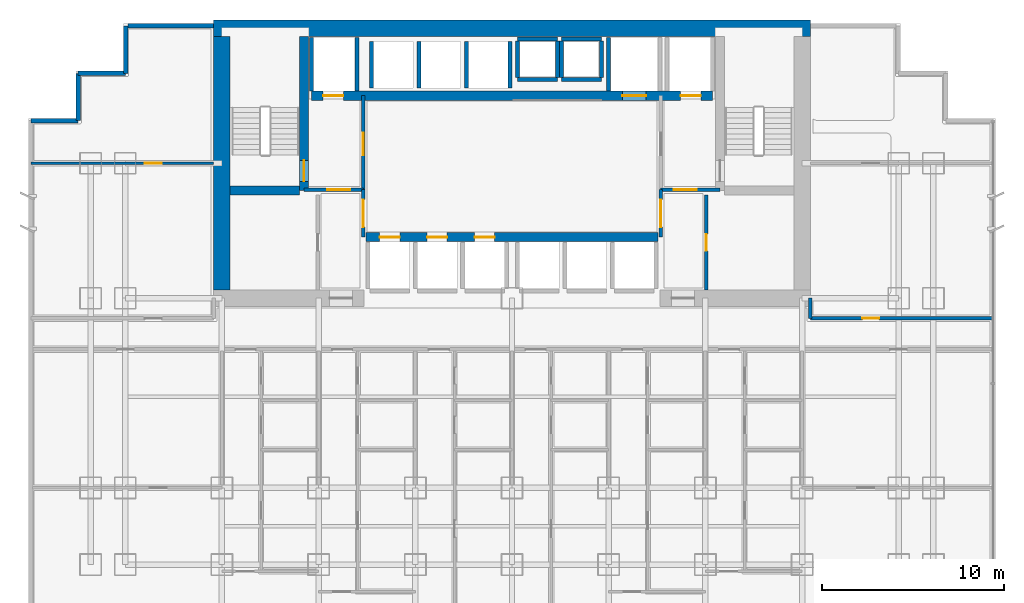
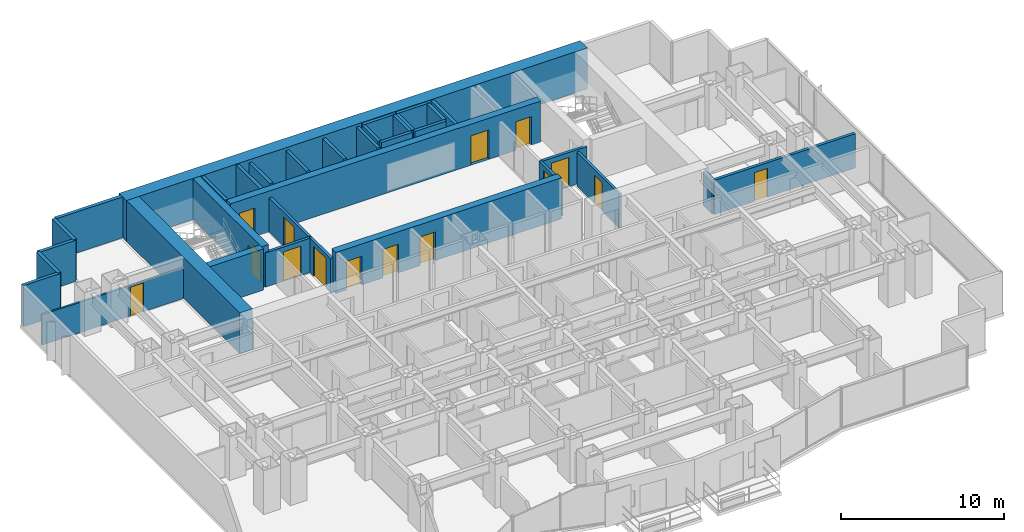
# One storey, part 9 of 12: 35 walls, 15 doors, 15 openings.
"""IFC4 building model written with IfcOpenShell, lengths in metres."""

from ifc_helpers import new_model, si_unit, direction, frame, frame_2d, origin, place, context, subcontext, project, spatial, rectangle, extrude, material, layer, layer_set, type_object, element, fill, save


model = new_model("IFC4")

# Units and contexts
model_context = context("Model", 3, precision=1e-05, world=origin(), true_north=direction((0.0, 1.0)))
body_context = subcontext(model_context, "Body", "Model", "MODEL_VIEW")
ifc_project = project(units=[si_unit("LENGTHUNIT", "METRE"), si_unit("AREAUNIT", "SQUARE_METRE"), si_unit("VOLUMEUNIT", "CUBIC_METRE"), si_unit("PLANEANGLEUNIT", "RADIAN"), si_unit("MASSUNIT", "GRAM", prefix="KILO")], contexts=[model_context])

# Site, building, storey
site_placement = place(None, origin())
site = spatial("IfcSite", under=ifc_project, at=site_placement, CompositionType="ELEMENT")
building_placement = place(site_placement, origin())
building = spatial("IfcBuilding", under=site, at=building_placement, Name="Qianlan Lanfeng Residences", CompositionType="ELEMENT")
storey_placement = place(building_placement, frame((0.0, 0.0, 27.5)))
storey = spatial("IfcBuildingStorey", under=building, at=storey_placement, Name="L06", CompositionType="ELEMENT", Elevation=27.5)

# Wall, opening, door
ifc_material_1 = material(Name="Concrete C70", Category="concrete")
ifc_layer_1 = layer(ifc_material_1, 0.5)
ifc_layer_set_1 = layer_set([ifc_layer_1], Name="Concrete C70")
wall_type_1 = type_object("IfcWallType", Name="CW-RC-500", PredefinedType="SHEAR", material=ifc_layer_set_1)
wall_1_placement = place(storey_placement, frame((15.10009765625, 31.10009765625, 0.0), z_axis=(0.0, 0.0, 1.0), x_axis=(0.0, 1.0, 0.0)))
wall_1 = element("IfcWall", 1, at=wall_1_placement, inside=storey, type_object=wall_type_1, Name="L06 Core Shear Wall ST1E", PredefinedType="SHEAR", context=body_context, shape_type="SweptSolid", body=[
    extrude(rectangle(XDim=8.449951171875, YDim=0.5, at=frame_2d((4.22509765625, 0.0))), origin(), (0.0, 0.0, 1.0), 3.080078125),
])
opening_1_placement = place(wall_1_placement, frame((0.510009765625, 0.0, 0.0)))
opening_1 = element("IfcOpeningElement", 2, at=opening_1_placement, cuts=wall_1, Name="Opening L06-D07", PredefinedType="OPENING", context=body_context, shape_type="SweptSolid", body=[
    extrude(rectangle(XDim=1.14990234375, YDim=2.199951171875, at=frame_2d((0.574951171875, 1.10009765625))), frame((0.0, 0.260009765625, 0.0), z_axis=(0.0, -1.0, 0.0), x_axis=(1.0, 0.0, 0.0)), (0.0, 0.0, 1.0), 0.52001953125),
])
ifc_material_2 = material(Name="Painted Galvanised Steel Fire Door", Category="steel")
door_type_1 = type_object("IfcDoorType", Name="DT-ST1", OperationType="NOTDEFINED", PredefinedType="DOOR", material=ifc_material_2)
door_1_placement = place(opening_1_placement, frame((1.14990234375, 0.0, 0.0), z_axis=(0.0, 0.0, 1.0), x_axis=(-1.0, 0.0, 0.0)))
door_1 = element("IfcDoor", 3, at=door_1_placement, inside=storey, type_object=door_type_1, Name="L06 Exit Stair ST-1 Door L06-D07 (DT-ST1)", OperationType="SINGLE_SWING_RIGHT", OverallHeight=2.199951171875, OverallWidth=1.14990234375, PredefinedType="DOOR", context=body_context, shape_type="SweptSolid", body=[
    extrude(rectangle(XDim=1.14990234375, YDim=2.199951171875, at=frame_2d((0.574951171875, 1.10009765625))), frame((0.0, 0.02490234375, 0.0), z_axis=(0.0, -1.0, 0.0), x_axis=(1.0, 0.0, 0.0)), (0.0, 0.0, 1.0), 0.050048828125),
])
fill(opening_1, door_1)

# Wall
wall_2_placement = place(storey_placement, frame((11.050048828125, 31.10009765625, 0.0), z_axis=(0.0, 0.0, 1.0), x_axis=(1.0, 0.0, 0.0)))
element("IfcWall", 4, at=wall_2_placement, inside=storey, type_object=wall_type_1, Name="L06 Core Shear Wall ST1S", PredefinedType="SHEAR", context=body_context, shape_type="SweptSolid", body=[
    extrude(rectangle(XDim=3.800048828125, YDim=0.5, at=frame_2d((1.89990234375, 0.0))), origin(), (0.0, 0.0, 1.0), 3.080078125),
])

# Wall, openings, doors
wall_3_placement = place(storey_placement, frame((15.5, 36.300048828125, 0.0), z_axis=(0.0, 0.0, 1.0), x_axis=(1.0, 0.0, 0.0)))
wall_3 = element("IfcWall", 5, at=wall_3_placement, inside=storey, type_object=wall_type_1, Name="L06 Core Shear Wall LBN", PredefinedType="SHEAR", context=body_context, shape_type="SweptSolid", body=[
    extrude(rectangle(XDim=22.0, YDim=0.5, at=frame_2d((11.0, 0.0))), origin(), (0.0, 0.0, 1.0), 3.080078125),
])
opening_2_placement = place(wall_3_placement, frame((0.64990234375, 0.0, 0.0)))
opening_2 = element("IfcOpeningElement", 6, at=opening_2_placement, cuts=wall_3, Name="Opening L06-LD-FFL-1", PredefinedType="OPENING", context=body_context, shape_type="SweptSolid", body=[
    extrude(rectangle(XDim=1.10009765625, YDim=2.14990234375, at=frame_2d((0.550048828125, 1.074951171875))), frame((0.0, 0.260009765625, 0.0), z_axis=(0.0, -1.0, 0.0), x_axis=(1.0, 0.0, 0.0)), (0.0, 0.0, 1.0), 0.52001953125),
])
opening_3_placement = place(wall_3_placement, frame((20.25, 0.0, 0.0)))
opening_3 = element("IfcOpeningElement", 7, at=opening_3_placement, cuts=wall_3, Name="Opening L06-LD-FFL-2", PredefinedType="OPENING", context=body_context, shape_type="SweptSolid", body=[
    extrude(rectangle(XDim=1.10009765625, YDim=2.14990234375, at=frame_2d((0.550048828125, 1.074951171875))), frame((0.0, 0.260009765625, 0.0), z_axis=(0.0, -1.0, 0.0), x_axis=(1.0, 0.0, 0.0)), (0.0, 0.0, 1.0), 0.52001953125),
])
opening_4_placement = place(wall_3_placement, frame((17.050048828125, 0.0, 0.0)))
opening_4 = element("IfcOpeningElement", 8, at=opening_4_placement, cuts=wall_3, Name="Opening L06-LD-SVL-1", PredefinedType="OPENING", context=body_context, shape_type="SweptSolid", body=[
    extrude(rectangle(XDim=1.300048828125, YDim=2.199951171875, at=frame_2d((0.64990234375, 1.10009765625))), frame((0.0, 0.260009765625, 0.0), z_axis=(0.0, -1.0, 0.0), x_axis=(1.0, 0.0, 0.0)), (0.0, 0.0, 1.0), 0.52001953125),
])
ifc_material_3 = material(Name="Brushed Stainless Steel Sliding Lift Door", Category="steel")
door_type_2 = type_object("IfcDoorType", Name="LD-01", OperationType="NOTDEFINED", PredefinedType="DOOR", material=ifc_material_3)
door_2_placement = place(opening_2_placement, frame((1.10009765625, 0.0, 0.0), z_axis=(0.0, 0.0, 1.0), x_axis=(-1.0, 0.0, 0.0)))
door_2 = element("IfcDoor", 9, at=door_2_placement, inside=storey, type_object=door_type_2, Name="L06 Elevator FFL-1 Sliding Landing Door", OperationType="DOUBLE_DOOR_SLIDING", OverallHeight=2.14990234375, OverallWidth=1.10009765625, PredefinedType="DOOR", context=body_context, shape_type="SweptSolid", body=[
    extrude(rectangle(XDim=1.10009765625, YDim=2.14990234375, at=frame_2d((0.550048828125, 1.074951171875))), frame((0.0, 0.02490234375, 0.0), z_axis=(0.0, -1.0, 0.0), x_axis=(1.0, 0.0, 0.0)), (0.0, 0.0, 1.0), 0.050048828125),
])
fill(opening_2, door_2)
door_3_placement = place(opening_3_placement, frame((1.10009765625, 0.0, 0.0), z_axis=(0.0, 0.0, 1.0), x_axis=(-1.0, 0.0, 0.0)))
door_3 = element("IfcDoor", 10, at=door_3_placement, inside=storey, type_object=door_type_2, Name="L06 Elevator FFL-2 Sliding Landing Door", OperationType="DOUBLE_DOOR_SLIDING", OverallHeight=2.14990234375, OverallWidth=1.10009765625, PredefinedType="DOOR", context=body_context, shape_type="SweptSolid", body=[
    extrude(rectangle(XDim=1.10009765625, YDim=2.14990234375, at=frame_2d((0.550048828125, 1.074951171875))), frame((0.0, 0.02490234375, 0.0), z_axis=(0.0, -1.0, 0.0), x_axis=(1.0, 0.0, 0.0)), (0.0, 0.0, 1.0), 0.050048828125),
])
fill(opening_3, door_3)
door_type_3 = type_object("IfcDoorType", Name="LD-02", OperationType="NOTDEFINED", PredefinedType="DOOR", material=ifc_material_3)
door_4_placement = place(opening_4_placement, frame((1.300048828125, 0.0, 0.0), z_axis=(0.0, 0.0, 1.0), x_axis=(-1.0, 0.0, 0.0)))
door_4 = element("IfcDoor", 11, at=door_4_placement, inside=storey, type_object=door_type_3, Name="L06 Elevator SVL-1 Sliding Landing Door", OperationType="DOUBLE_DOOR_SLIDING", OverallHeight=2.199951171875, OverallWidth=1.300048828125, PredefinedType="DOOR", context=body_context, shape_type="SweptSolid", body=[
    extrude(rectangle(XDim=1.300048828125, YDim=2.199951171875, at=frame_2d((0.64990234375, 1.10009765625))), frame((0.0, 0.02490234375, 0.0), z_axis=(0.0, -1.0, 0.0), x_axis=(1.0, 0.0, 0.0)), (0.0, 0.0, 1.0), 0.050048828125),
])
fill(opening_4, door_4)

wall_4_placement = place(storey_placement, frame((18.5, 28.550048828125, 0.0), z_axis=(0.0, 0.0, 1.0), x_axis=(1.0, 0.0, 0.0)))
wall_4 = element("IfcWall", 12, at=wall_4_placement, inside=storey, type_object=wall_type_1, Name="L06 Core Shear Wall LBS", PredefinedType="SHEAR", context=body_context, shape_type="SweptSolid", body=[
    extrude(rectangle(XDim=16.0, YDim=0.5, at=frame_2d((8.0, 0.0))), origin(), (0.0, 0.0, 1.0), 3.080078125),
])
opening_5_placement = place(wall_4_placement, frame((0.75, 0.0, 0.0)))
opening_5 = element("IfcOpeningElement", 13, at=opening_5_placement, cuts=wall_4, Name="Opening L06-LD-PL-L1", PredefinedType="OPENING", context=body_context, shape_type="SweptSolid", body=[
    extrude(rectangle(XDim=1.10009765625, YDim=2.14990234375, at=frame_2d((0.550048828125, 1.074951171875))), frame((0.0, 0.260009765625, 0.0), z_axis=(0.0, -1.0, 0.0), x_axis=(1.0, 0.0, 0.0)), (0.0, 0.0, 1.0), 0.52001953125),
])
opening_6_placement = place(wall_4_placement, frame((3.35009765625, 0.0, 0.0)))
opening_6 = element("IfcOpeningElement", 14, at=opening_6_placement, cuts=wall_4, Name="Opening L06-LD-PL-L2", PredefinedType="OPENING", context=body_context, shape_type="SweptSolid", body=[
    extrude(rectangle(XDim=1.10009765625, YDim=2.14990234375, at=frame_2d((0.550048828125, 1.074951171875))), frame((0.0, 0.260009765625, 0.0), z_axis=(0.0, -1.0, 0.0), x_axis=(1.0, 0.0, 0.0)), (0.0, 0.0, 1.0), 0.52001953125),
])
opening_7_placement = place(wall_4_placement, frame((5.949951171875, 0.0, 0.0)))
opening_7 = element("IfcOpeningElement", 15, at=opening_7_placement, cuts=wall_4, Name="Opening L06-LD-PL-L3", PredefinedType="OPENING", context=body_context, shape_type="SweptSolid", body=[
    extrude(rectangle(XDim=1.10009765625, YDim=2.14990234375, at=frame_2d((0.550048828125, 1.074951171875))), frame((0.0, 0.260009765625, 0.0), z_axis=(0.0, -1.0, 0.0), x_axis=(1.0, 0.0, 0.0)), (0.0, 0.0, 1.0), 0.52001953125),
])
door_5_placement = place(opening_5_placement, origin())
door_5 = element("IfcDoor", 16, at=door_5_placement, inside=storey, type_object=door_type_2, Name="L06 Elevator PL-L1 Sliding Landing Door", OperationType="DOUBLE_DOOR_SLIDING", OverallHeight=2.14990234375, OverallWidth=1.10009765625, PredefinedType="DOOR", context=body_context, shape_type="SweptSolid", body=[
    extrude(rectangle(XDim=1.10009765625, YDim=2.14990234375, at=frame_2d((0.550048828125, 1.074951171875))), frame((0.0, 0.02490234375, 0.0), z_axis=(0.0, -1.0, 0.0), x_axis=(1.0, 0.0, 0.0)), (0.0, 0.0, 1.0), 0.050048828125),
])
fill(opening_5, door_5)
door_6_placement = place(opening_6_placement, origin())
door_6 = element("IfcDoor", 17, at=door_6_placement, inside=storey, type_object=door_type_2, Name="L06 Elevator PL-L2 Sliding Landing Door", OperationType="DOUBLE_DOOR_SLIDING", OverallHeight=2.14990234375, OverallWidth=1.10009765625, PredefinedType="DOOR", context=body_context, shape_type="SweptSolid", body=[
    extrude(rectangle(XDim=1.10009765625, YDim=2.14990234375, at=frame_2d((0.550048828125, 1.074951171875))), frame((0.0, 0.02490234375, 0.0), z_axis=(0.0, -1.0, 0.0), x_axis=(1.0, 0.0, 0.0)), (0.0, 0.0, 1.0), 0.050048828125),
])
fill(opening_6, door_6)
door_7_placement = place(opening_7_placement, origin())
door_7 = element("IfcDoor", 18, at=door_7_placement, inside=storey, type_object=door_type_2, Name="L06 Elevator PL-L3 Sliding Landing Door", OperationType="DOUBLE_DOOR_SLIDING", OverallHeight=2.14990234375, OverallWidth=1.10009765625, PredefinedType="DOOR", context=body_context, shape_type="SweptSolid", body=[
    extrude(rectangle(XDim=1.10009765625, YDim=2.14990234375, at=frame_2d((0.550048828125, 1.074951171875))), frame((0.0, 0.02490234375, 0.0), z_axis=(0.0, -1.0, 0.0), x_axis=(1.0, 0.0, 0.0)), (0.0, 0.0, 1.0), 0.050048828125),
])
fill(opening_7, door_7)

# Walls
ifc_layer_2 = layer(ifc_material_1, 0.89990234375)
ifc_layer_set_2 = layer_set([ifc_layer_2], Name="Concrete C70")
wall_type_2 = type_object("IfcWallType", Name="CW-RC-900", PredefinedType="SHEAR", material=ifc_layer_set_2)
wall_5_placement = place(storey_placement, frame((10.14990234375, 40.0, 0.0), z_axis=(0.0, 0.0, 1.0), x_axis=(1.0, 0.0, 0.0)))
element("IfcWall", 19, at=wall_5_placement, inside=storey, type_object=wall_type_2, Name="L06 Core Shear Wall N", PredefinedType="SHEAR", context=body_context, shape_type="SweptSolid", body=[
    extrude(rectangle(XDim=32.7001953125, YDim=0.89990234375, at=frame_2d((16.35009765625, 0.0))), origin(), (0.0, 0.0, 1.0), 3.080078125),
])
wall_6_placement = place(storey_placement, frame((10.60009765625, 25.64990234375, 0.0), z_axis=(0.0, 0.0, 1.0), x_axis=(0.0, 1.0, 0.0)))
element("IfcWall", 20, at=wall_6_placement, inside=storey, type_object=wall_type_2, Name="L06 Core Shear Wall W", PredefinedType="SHEAR", context=body_context, shape_type="SweptSolid", body=[
    extrude(rectangle(XDim=13.900146484375, YDim=0.89990234375, at=frame_2d((6.9501953125, 0.0))), origin(), (0.0, 0.0, 1.0), 3.080078125),
])
ifc_material_4 = material(Name="Concrete C42", Category="concrete")
ifc_layer_3 = layer(ifc_material_4, 0.239990234375)
ifc_layer_set_3 = layer_set([ifc_layer_3], Name="Concrete C42")
wall_type_3 = type_object("IfcWallType", Name="EW-240", PredefinedType="SOLIDWALL", material=ifc_layer_set_3)
wall_7_placement = place(storey_placement, frame((10.14990234375, 40.1298828125, 0.0), z_axis=(0.0, 0.0, 1.0), x_axis=(-1.0, 0.0, 0.0)))
element("IfcWall", 21, at=wall_7_placement, inside=storey, type_object=wall_type_3, Name="L06 North Wing Exterior Wall W", PredefinedType="SOLIDWALL", context=body_context, shape_type="SweptSolid", body=[
    extrude(rectangle(XDim=4.699951171875, YDim=0.239990234375, at=frame_2d((2.35009765625, 0.0))), origin(), (0.0, 0.0, 1.0), 3.080078125),
])
wall_8_placement = place(storey_placement, frame((5.320068359375, 40.1298828125, 0.0), z_axis=(0.0, 0.0, 1.0), x_axis=(0.0, -1.0, 0.0)))
element("IfcWall", 22, at=wall_8_placement, inside=storey, type_object=wall_type_3, Name="L06 Exterior Facade Spandrel Wall 17", PredefinedType="SOLIDWALL", context=body_context, shape_type="SweptSolid", body=[
    extrude(rectangle(XDim=2.599853515625, YDim=0.239990234375, at=frame_2d((1.2998046875, 0.0))), origin(), (0.0, 0.0, 1.0), 3.080078125),
])
for number, where, z_axis, x_axis, name in (
    (23, (5.320068359375, 37.530029296875, 0.0), (0.0, 0.0, 1.0), (-1.0, 0.0, 0.0), "L06 Exterior Facade Spandrel Wall 18"),
    (24, (2.719970703125, 37.530029296875, 0.0), (0.0, 0.0, 1.0), (0.0, -1.0, 0.0), "L06 Exterior Facade Spandrel Wall 19"),
):
    element("IfcWall", number, at=place(storey_placement, frame(where, z_axis=z_axis, x_axis=x_axis)), inside=storey, type_object=wall_type_3, Name=name, PredefinedType="SOLIDWALL", context=body_context, shape_type="SweptSolid", body=[
        extrude(rectangle(XDim=2.60009765625, YDim=0.239990234375, at=frame_2d((1.300048828125, 0.0))), origin(), (0.0, 0.0, 1.0), 3.080078125),
    ])
wall_9_placement = place(storey_placement, frame((2.719970703125, 34.929931640625, 0.0), z_axis=(0.0, 0.0, 1.0), x_axis=(-1.0, 0.0, 0.0)))
element("IfcWall", 25, at=wall_9_placement, inside=storey, type_object=wall_type_3, Name="L06 Exterior Facade Spandrel Wall 20", PredefinedType="SOLIDWALL", context=body_context, shape_type="SweptSolid", body=[
    extrude(rectangle(XDim=2.599853515625, YDim=0.239990234375, at=frame_2d((1.2998046875, 0.0))), origin(), (0.0, 0.0, 1.0), 3.080078125),
])

# Wall, opening, door
ifc_material_5 = material(Name="Moisture-Resistant Gypsum Partition 135 mm")
ifc_layer_4 = layer(ifc_material_5, 0.135009765625)
ifc_layer_set_4 = layer_set([ifc_layer_4], Name="Moisture-Resistant Gypsum Partition 135 mm")
wall_type_4 = type_object("IfcWallType", Name="PW-135", PredefinedType="PARTITIONING", material=ifc_layer_set_4)
wall_10_placement = place(storey_placement, frame((0.1201171875, 32.60009765625, 0.0), z_axis=(0.0, 0.0, 1.0), x_axis=(1.0, 0.0, 0.0)))
wall_10 = element("IfcWall", 26, at=wall_10_placement, inside=storey, type_object=wall_type_4, Name="L06 WW North Wing Wall", PredefinedType="PARTITIONING", context=body_context, shape_type="SweptSolid", body=[
    extrude(rectangle(XDim=10.02978515625, YDim=0.135009765625, at=frame_2d((5.014892578125, 0.0))), origin(), (0.0, 0.0, 1.0), 2.27490234375),
])
opening_8_placement = place(wall_10_placement, frame((6.2548828125, 0.0, 0.0)))
opening_8 = element("IfcOpeningElement", 27, at=opening_8_placement, cuts=wall_10, Name="Opening L06-D47", PredefinedType="OPENING", context=body_context, shape_type="SweptSolid", body=[
    extrude(rectangle(XDim=0.919921875, YDim=2.14990234375, at=frame_2d((0.4599609375, 1.074951171875))), frame((0.0, 0.07763671875, 0.0), z_axis=(0.0, -1.0, 0.0), x_axis=(1.0, 0.0, 0.0)), (0.0, 0.0, 1.0), 0.155029296875),
])
ifc_material_6 = material(Name="Glazed Timber Kitchen/Study Door", Category="wood")
door_type_4 = type_object("IfcDoorType", Name="DT-INT", OperationType="NOTDEFINED", PredefinedType="DOOR", material=ifc_material_6)
door_8_placement = place(opening_8_placement, origin())
door_8 = element("IfcDoor", 28, at=door_8_placement, inside=storey, type_object=door_type_4, Name="L06 WW Inner Salon Door L06-D47 (DT-INT)", OperationType="SINGLE_SWING_RIGHT", OverallHeight=2.14990234375, OverallWidth=0.919921875, PredefinedType="DOOR", context=body_context, shape_type="SweptSolid", body=[
    extrude(rectangle(XDim=0.919921875, YDim=2.14990234375, at=frame_2d((0.4599609375, 1.074951171875))), frame((0.0, 0.02490234375, 0.0), z_axis=(0.0, -1.0, 0.0), x_axis=(1.0, 0.0, 0.0)), (0.0, 0.0, 1.0), 0.050048828125),
])
fill(opening_8, door_8)

ifc_material_7 = material(Name="Double-Layer Acoustic Gypsum Stud Wall 180 mm")
ifc_layer_5 = layer(ifc_material_7, 0.179931640625)
ifc_layer_set_5 = layer_set([ifc_layer_5], Name="Double-Layer Acoustic Gypsum Stud Wall 180 mm")
wall_type_5 = type_object("IfcWallType", Name="PW-180", PredefinedType="PARTITIONING", material=ifc_layer_set_5)
wall_11_placement = place(storey_placement, frame((37.14990234375, 25.64990234375, 0.0), z_axis=(0.0, 0.0, 1.0), x_axis=(0.0, 1.0, 0.0)))
wall_11 = element("IfcWall", 29, at=wall_11_placement, inside=storey, type_object=wall_type_5, Name="L06 Core East Service Room Wall", PredefinedType="PARTITIONING", context=body_context, shape_type="SweptSolid", body=[
    extrude(rectangle(XDim=5.2001953125, YDim=0.179931640625, at=frame_2d((2.60009765625, 0.0))), origin(), (0.0, 0.0, 1.0), 2.570068359375),
])
opening_9_placement = place(wall_11_placement, frame((2.139892578125, 0.0, 0.0)))
opening_9 = element("IfcOpeningElement", 30, at=opening_9_placement, cuts=wall_11, Name="Opening L06-D10", PredefinedType="OPENING", context=body_context, shape_type="SweptSolid", body=[
    extrude(rectangle(XDim=0.919921875, YDim=2.14990234375, at=frame_2d((0.4599609375, 1.074951171875))), frame((0.0, 0.10009765625, 0.0), z_axis=(0.0, -1.0, 0.0), x_axis=(1.0, 0.0, 0.0)), (0.0, 0.0, 1.0), 0.199951171875),
])
door_9_placement = place(opening_9_placement, origin())
door_9 = element("IfcDoor", 31, at=door_9_placement, inside=storey, type_object=door_type_4, Name="L06 Refuse Recycling Door L06-D10 (DT-INT)", OperationType="SINGLE_SWING_LEFT", OverallHeight=2.14990234375, OverallWidth=0.919921875, PredefinedType="DOOR", context=body_context, shape_type="SweptSolid", body=[
    extrude(rectangle(XDim=0.919921875, YDim=2.14990234375, at=frame_2d((0.4599609375, 1.074951171875))), frame((0.0, 0.02490234375, 0.0), z_axis=(0.0, -1.0, 0.0), x_axis=(1.0, 0.0, 0.0)), (0.0, 0.0, 1.0), 0.050048828125),
])
fill(opening_9, door_9)

ifc_material_8 = material(Name="Autoclaved Aerated Concrete Blockwork 200 mm", Category="masonry")
ifc_layer_6 = layer(ifc_material_8, 0.199951171875)
ifc_layer_set_6 = layer_set([ifc_layer_6], Name="Autoclaved Aerated Concrete Blockwork 200 mm")
wall_type_6 = type_object("IfcWallType", Name="PW-200", PredefinedType="PARTITIONING", material=ifc_layer_set_6)
wall_12_placement = place(storey_placement, frame((15.10009765625, 31.14990234375, 0.0), z_axis=(0.0, 0.0, 1.0), x_axis=(1.0, 0.0, 0.0)))
wall_12 = element("IfcWall", 32, at=wall_12_placement, inside=storey, type_object=wall_type_6, Name="L06 Firefighting Lobby 1 South Wall", PredefinedType="PARTITIONING", context=body_context, shape_type="SweptSolid", body=[
    extrude(rectangle(XDim=3.25, YDim=0.199951171875, at=frame_2d((1.625, 0.0))), origin(), (0.0, 0.0, 1.0), 2.570068359375),
])
opening_10_placement = place(wall_12_placement, frame((1.27490234375, 0.0, 0.0)))
opening_10 = element("IfcOpeningElement", 33, at=opening_10_placement, cuts=wall_12, Name="Opening L06-D03", PredefinedType="OPENING", context=body_context, shape_type="SweptSolid", body=[
    extrude(rectangle(XDim=1.25, YDim=2.199951171875, at=frame_2d((0.625, 1.10009765625))), frame((0.0, 0.10986328125, 0.0), z_axis=(0.0, -1.0, 0.0), x_axis=(1.0, 0.0, 0.0)), (0.0, 0.0, 1.0), 0.219970703125),
])
door_type_5 = type_object("IfcDoorType", Name="DT-FFL", OperationType="NOTDEFINED", PredefinedType="DOOR", material=ifc_material_2)
door_10_placement = place(opening_10_placement, origin())
door_10 = element("IfcDoor", 34, at=door_10_placement, inside=storey, type_object=door_type_5, Name="L06 Firefighting Lobby 1 Entry Door L06-D03 (DT-FFL)", OperationType="SINGLE_SWING_LEFT", OverallHeight=2.199951171875, OverallWidth=1.25, PredefinedType="DOOR", context=body_context, shape_type="SweptSolid", body=[
    extrude(rectangle(XDim=1.25, YDim=2.199951171875, at=frame_2d((0.625, 1.10009765625))), frame((0.0, 0.02490234375, 0.0), z_axis=(0.0, -1.0, 0.0), x_axis=(1.0, 0.0, 0.0)), (0.0, 0.0, 1.0), 0.050048828125),
])
fill(opening_10, door_10)

wall_13_placement = place(storey_placement, frame((18.35009765625, 31.14990234375, 0.0), z_axis=(0.0, 0.0, 1.0), x_axis=(0.0, 1.0, 0.0)))
wall_13 = element("IfcWall", 35, at=wall_13_placement, inside=storey, type_object=wall_type_6, Name="L06 Firefighting Lobby 1 East Wall", PredefinedType="PARTITIONING", context=body_context, shape_type="SweptSolid", body=[
    extrude(rectangle(XDim=5.150146484375, YDim=0.199951171875, at=frame_2d((2.5751953125, 0.0))), origin(), (0.0, 0.0, 1.0), 2.570068359375),
])
opening_11_placement = place(wall_13_placement, frame((1.875, 0.0, 0.0)))
opening_11 = element("IfcOpeningElement", 36, at=opening_11_placement, cuts=wall_13, Name="Opening L06-D04", PredefinedType="OPENING", context=body_context, shape_type="SweptSolid", body=[
    extrude(rectangle(XDim=1.25, YDim=2.199951171875, at=frame_2d((0.625, 1.10009765625))), frame((0.0, 0.10986328125, 0.0), z_axis=(0.0, -1.0, 0.0), x_axis=(1.0, 0.0, 0.0)), (0.0, 0.0, 1.0), 0.219970703125),
])
door_11_placement = place(opening_11_placement, origin())
door_11 = element("IfcDoor", 37, at=door_11_placement, inside=storey, type_object=door_type_5, Name="L06 Firefighting Lobby 1 Lift Lobby Door L06-D04 (DT-FFL)", OperationType="SINGLE_SWING_LEFT", OverallHeight=2.199951171875, OverallWidth=1.25, PredefinedType="DOOR", context=body_context, shape_type="SweptSolid", body=[
    extrude(rectangle(XDim=1.25, YDim=2.199951171875, at=frame_2d((0.625, 1.10009765625))), frame((0.0, 0.02490234375, 0.0), z_axis=(0.0, -1.0, 0.0), x_axis=(1.0, 0.0, 0.0)), (0.0, 0.0, 1.0), 0.050048828125),
])
fill(opening_11, door_11)

wall_14_placement = place(storey_placement, frame((34.64990234375, 31.14990234375, 0.0), z_axis=(0.0, 0.0, 1.0), x_axis=(1.0, 0.0, 0.0)))
wall_14 = element("IfcWall", 38, at=wall_14_placement, inside=storey, type_object=wall_type_6, Name="L06 Firefighting Lobby 2 South Wall", PredefinedType="PARTITIONING", context=body_context, shape_type="SweptSolid", body=[
    extrude(rectangle(XDim=3.25, YDim=0.199951171875, at=frame_2d((1.625, 0.0))), origin(), (0.0, 0.0, 1.0), 2.570068359375),
])
opening_12_placement = place(wall_14_placement, frame((0.72509765625, 0.0, 0.0)))
opening_12 = element("IfcOpeningElement", 39, at=opening_12_placement, cuts=wall_14, Name="Opening L06-D05", PredefinedType="OPENING", context=body_context, shape_type="SweptSolid", body=[
    extrude(rectangle(XDim=1.25, YDim=2.199951171875, at=frame_2d((0.625, 1.10009765625))), frame((0.0, 0.10986328125, 0.0), z_axis=(0.0, -1.0, 0.0), x_axis=(1.0, 0.0, 0.0)), (0.0, 0.0, 1.0), 0.219970703125),
])
door_12_placement = place(opening_12_placement, origin())
door_12 = element("IfcDoor", 40, at=door_12_placement, inside=storey, type_object=door_type_5, Name="L06 Firefighting Lobby 2 Entry Door L06-D05 (DT-FFL)", OperationType="SINGLE_SWING_RIGHT", OverallHeight=2.199951171875, OverallWidth=1.25, PredefinedType="DOOR", context=body_context, shape_type="SweptSolid", body=[
    extrude(rectangle(XDim=1.25, YDim=2.199951171875, at=frame_2d((0.625, 1.10009765625))), frame((0.0, 0.02490234375, 0.0), z_axis=(0.0, -1.0, 0.0), x_axis=(1.0, 0.0, 0.0)), (0.0, 0.0, 1.0), 0.050048828125),
])
fill(opening_12, door_12)

wall_15_placement = place(storey_placement, frame((18.35009765625, 28.550048828125, 0.0), z_axis=(0.0, 0.0, 1.0), x_axis=(0.0, 1.0, 0.0)))
wall_15 = element("IfcWall", 41, at=wall_15_placement, inside=storey, type_object=wall_type_6, Name="L06 Lift Lobby West Connector Wall", PredefinedType="PARTITIONING", context=body_context, shape_type="SweptSolid", body=[
    extrude(rectangle(XDim=2.599853515625, YDim=0.199951171875, at=frame_2d((1.2998046875, 0.0))), origin(), (0.0, 0.0, 1.0), 2.570068359375),
])
opening_13_placement = place(wall_15_placement, frame((0.550048828125, 0.0, 0.0)))
opening_13 = element("IfcOpeningElement", 42, at=opening_13_placement, cuts=wall_15, Name="Opening L06-D11", PredefinedType="OPENING", context=body_context, shape_type="SweptSolid", body=[
    extrude(rectangle(XDim=1.5, YDim=2.25, at=frame_2d((0.75, 1.125))), frame((0.0, 0.10986328125, 0.0), z_axis=(0.0, -1.0, 0.0), x_axis=(1.0, 0.0, 0.0)), (0.0, 0.0, 1.0), 0.219970703125),
])
ifc_material_9 = material(Name="Timber Veneer Acoustic Fire Door", Category="wood")
door_type_6 = type_object("IfcDoorType", Name="DT-COR1", OperationType="NOTDEFINED", PredefinedType="DOOR", material=ifc_material_9)
door_13_placement = place(opening_13_placement, origin())
door_13 = element("IfcDoor", 43, at=door_13_placement, inside=storey, type_object=door_type_6, Name="L06 Lift Lobby West Portal Door L06-D11 (DT-COR1)", OperationType="DOUBLE_DOOR_SINGLE_SWING", OverallHeight=2.25, OverallWidth=1.5, PredefinedType="DOOR", context=body_context, shape_type="SweptSolid", body=[
    extrude(rectangle(XDim=1.5, YDim=2.25, at=frame_2d((0.75, 1.125))), frame((0.0, 0.02490234375, 0.0), z_axis=(0.0, -1.0, 0.0), x_axis=(1.0, 0.0, 0.0)), (0.0, 0.0, 1.0), 0.050048828125),
])
fill(opening_13, door_13)

wall_16_placement = place(storey_placement, frame((34.64990234375, 28.550048828125, 0.0), z_axis=(0.0, 0.0, 1.0), x_axis=(0.0, 1.0, 0.0)))
wall_16 = element("IfcWall", 44, at=wall_16_placement, inside=storey, type_object=wall_type_6, Name="L06 Lift Lobby East Connector Wall", PredefinedType="PARTITIONING", context=body_context, shape_type="SweptSolid", body=[
    extrude(rectangle(XDim=2.599853515625, YDim=0.199951171875, at=frame_2d((1.2998046875, 0.0))), origin(), (0.0, 0.0, 1.0), 2.570068359375),
])
opening_14_placement = place(wall_16_placement, frame((0.550048828125, 0.0, 0.0)))
opening_14 = element("IfcOpeningElement", 45, at=opening_14_placement, cuts=wall_16, Name="Opening L06-D12", PredefinedType="OPENING", context=body_context, shape_type="SweptSolid", body=[
    extrude(rectangle(XDim=1.5, YDim=2.25, at=frame_2d((0.75, 1.125))), frame((0.0, 0.10986328125, 0.0), z_axis=(0.0, -1.0, 0.0), x_axis=(1.0, 0.0, 0.0)), (0.0, 0.0, 1.0), 0.219970703125),
])
door_14_placement = place(opening_14_placement, frame((1.5, 0.0, 0.0), z_axis=(0.0, 0.0, 1.0), x_axis=(-1.0, 0.0, 0.0)))
door_14 = element("IfcDoor", 46, at=door_14_placement, inside=storey, type_object=door_type_6, Name="L06 Lift Lobby East Portal Door L06-D12 (DT-COR1)", OperationType="DOUBLE_DOOR_SINGLE_SWING", OverallHeight=2.25, OverallWidth=1.5, PredefinedType="DOOR", context=body_context, shape_type="SweptSolid", body=[
    extrude(rectangle(XDim=1.5, YDim=2.25, at=frame_2d((0.75, 1.125))), frame((0.0, 0.02490234375, 0.0), z_axis=(0.0, -1.0, 0.0), x_axis=(1.0, 0.0, 0.0)), (0.0, 0.0, 1.0), 0.050048828125),
])
fill(opening_14, door_14)

wall_17_placement = place(storey_placement, frame((42.85009765625, 24.10009765625, 0.0), z_axis=(0.0, 0.0, 1.0), x_axis=(1.0, 0.0, 0.0)))
wall_17 = element("IfcWall", 47, at=wall_17_placement, inside=storey, type_object=wall_type_6, Name="L06 Corridor NE Wall", PredefinedType="PARTITIONING", context=body_context, shape_type="SweptSolid", body=[
    extrude(rectangle(XDim=10.02978515625, YDim=0.199951171875, at=frame_2d((5.014892578125, 0.0))), origin(), (0.0, 0.0, 1.0), 2.570068359375),
])
opening_15_placement = place(wall_17_placement, frame((2.85498046875, 0.0, 0.0)))
opening_15 = element("IfcOpeningElement", 48, at=opening_15_placement, cuts=wall_17, Name="Opening L06-D50", PredefinedType="OPENING", context=body_context, shape_type="SweptSolid", body=[
    extrude(rectangle(XDim=0.919921875, YDim=2.14990234375, at=frame_2d((0.4599609375, 1.074951171875))), frame((0.0, 0.10986328125, 0.0), z_axis=(0.0, -1.0, 0.0), x_axis=(1.0, 0.0, 0.0)), (0.0, 0.0, 1.0), 0.219970703125),
])
door_15_placement = place(opening_15_placement, origin())
door_15 = element("IfcDoor", 49, at=door_15_placement, inside=storey, type_object=door_type_4, Name="L06 EW Amenity Salon Door L06-D50 (DT-INT)", OperationType="SINGLE_SWING_LEFT", OverallHeight=2.14990234375, OverallWidth=0.919921875, PredefinedType="DOOR", context=body_context, shape_type="SweptSolid", body=[
    extrude(rectangle(XDim=0.919921875, YDim=2.14990234375, at=frame_2d((0.4599609375, 1.074951171875))), frame((0.0, 0.02490234375, 0.0), z_axis=(0.0, -1.0, 0.0), x_axis=(1.0, 0.0, 0.0)), (0.0, 0.0, 1.0), 0.050048828125),
])
fill(opening_15, door_15)

# Walls
wall_18_placement = place(storey_placement, frame((42.85009765625, 24.10009765625, 0.0), z_axis=(0.0, 0.0, 1.0), x_axis=(0.0, 1.0, 0.0)))
element("IfcWall", 50, at=wall_18_placement, inside=storey, type_object=wall_type_6, Name="L06 NE Wing Core Return Wall", PredefinedType="PARTITIONING", context=body_context, shape_type="SweptSolid", body=[
    extrude(rectangle(XDim=1.099853515625, YDim=0.199951171875, at=frame_2d((0.5498046875, 0.0))), origin(), (0.0, 0.0, 1.0), 2.570068359375),
])
ifc_material_10 = material(Name="Concrete C49", Category="concrete")
ifc_layer_7 = layer(ifc_material_10, 0.219970703125)
ifc_layer_set_7 = layer_set([ifc_layer_7], Name="Concrete C49")
wall_type_7 = type_object("IfcWallType", Name="SHW-220", PredefinedType="SOLIDWALL", material=ifc_layer_set_7)
for number, where, z_axis, x_axis, name in (
    (51, (15.52001953125, 36.550048828125, 0.0), (0.0, 0.0, 1.0), (0.0, 1.0, 0.0), "L06 Lift FFL-1 Shaft Wall W"),
    (52, (18.0, 36.550048828125, 0.0), (0.0, 0.0, 1.0), (0.0, 1.0, 0.0), "L06 Lift FFL-1 Shaft Wall E"),
    (53, (31.800048828125, 36.550048828125, 0.0), (0.0, 0.0, 1.0), (0.0, 1.0, 0.0), "L06 Lift SVL-1 Shaft Wall W"),
):
    element("IfcWall", number, at=place(storey_placement, frame(where, z_axis=z_axis, x_axis=x_axis)), inside=storey, type_object=wall_type_7, Name=name, PredefinedType="SOLIDWALL", context=body_context, shape_type="SweptSolid", body=[
        extrude(rectangle(XDim=2.929931640625, YDim=0.219970703125, at=frame_2d((1.46484375, 0.0))), origin(), (0.0, 0.0, 1.0), 3.080078125),
    ])
for number, where, z_axis, x_axis, name in (
    (54, (18.800048828125, 36.719970703125, 0.0), (0.0, 0.0, 1.0), (0.0, 1.0, 0.0), "L06 Lift PL-H1 Shaft Wall W"),
    (55, (21.39990234375, 36.719970703125, 0.0), (0.0, 0.0, 1.0), (0.0, 1.0, 0.0), "L06 Lift PL-H2 Shaft Wall W"),
    (56, (24.0, 36.719970703125, 0.0), (0.0, 0.0, 1.0), (0.0, 1.0, 0.0), "L06 Lift PL-H3 Shaft Wall W"),
    (57, (26.39990234375, 36.719970703125, 0.0), (0.0, 0.0, 1.0), (0.0, 1.0, 0.0), "L06 Lift PL-H3 Shaft Wall E"),
):
    element("IfcWall", number, at=place(storey_placement, frame(where, z_axis=z_axis, x_axis=x_axis)), inside=storey, type_object=wall_type_7, Name=name, PredefinedType="SOLIDWALL", context=body_context, shape_type="SweptSolid", body=[
        extrude(rectangle(XDim=2.56005859375, YDim=0.219970703125, at=frame_2d((1.280029296875, 0.0))), origin(), (0.0, 0.0, 1.0), 3.080078125),
    ])
for number, where, z_axis, x_axis, name in (
    (58, (26.800048828125, 37.31005859375, 0.0), (0.0, 0.0, 1.0), (0.0, 1.0, 0.0), "L06 MEP Riser MEP-R1 Shaft Wall W"),
    (59, (29.0, 37.31005859375, 0.0), (0.0, 0.0, 1.0), (0.0, 1.0, 0.0), "L06 MEP Riser MEP-R1 Shaft Wall E"),
):
    element("IfcWall", number, at=place(storey_placement, frame(where, z_axis=z_axis, x_axis=x_axis)), inside=storey, type_object=wall_type_7, Name=name, PredefinedType="SOLIDWALL", context=body_context, shape_type="SweptSolid", body=[
        extrude(rectangle(XDim=1.97998046875, YDim=0.219970703125, at=frame_2d((0.989990234375, 0.0))), origin(), (0.0, 0.0, 1.0), 3.080078125),
    ])
for number, where, z_axis, x_axis, name in (
    (60, (26.800048828125, 39.39990234375, 0.0), (0.0, 0.0, 1.0), (1.0, 0.0, 0.0), "L06 MEP Riser MEP-R1 Shaft Wall N"),
    (61, (26.800048828125, 37.199951171875, 0.0), (0.0, 0.0, 1.0), (1.0, 0.0, 0.0), "L06 MEP Riser MEP-R1 Shaft Wall S"),
):
    element("IfcWall", number, at=place(storey_placement, frame(where, z_axis=z_axis, x_axis=x_axis)), inside=storey, type_object=wall_type_7, Name=name, PredefinedType="SOLIDWALL", context=body_context, shape_type="SweptSolid", body=[
        extrude(rectangle(XDim=2.199951171875, YDim=0.219970703125, at=frame_2d((1.10009765625, 0.0))), origin(), (0.0, 0.0, 1.0), 3.080078125),
    ])
for number, where, z_axis, x_axis, name in (
    (62, (29.199951171875, 37.31005859375, 0.0), (0.0, 0.0, 1.0), (0.0, 1.0, 0.0), "L06 MEP Riser MEP-R2 Shaft Wall W"),
    (63, (31.39990234375, 37.31005859375, 0.0), (0.0, 0.0, 1.0), (0.0, 1.0, 0.0), "L06 MEP Riser MEP-R2 Shaft Wall E"),
):
    element("IfcWall", number, at=place(storey_placement, frame(where, z_axis=z_axis, x_axis=x_axis)), inside=storey, type_object=wall_type_7, Name=name, PredefinedType="SOLIDWALL", context=body_context, shape_type="SweptSolid", body=[
        extrude(rectangle(XDim=1.97998046875, YDim=0.219970703125, at=frame_2d((0.989990234375, 0.0))), origin(), (0.0, 0.0, 1.0), 3.080078125),
    ])
for number, where, z_axis, x_axis, name in (
    (64, (29.199951171875, 39.39990234375, 0.0), (0.0, 0.0, 1.0), (1.0, 0.0, 0.0), "L06 MEP Riser MEP-R2 Shaft Wall N"),
    (65, (29.199951171875, 37.199951171875, 0.0), (0.0, 0.0, 1.0), (1.0, 0.0, 0.0), "L06 MEP Riser MEP-R2 Shaft Wall S"),
):
    element("IfcWall", number, at=place(storey_placement, frame(where, z_axis=z_axis, x_axis=x_axis)), inside=storey, type_object=wall_type_7, Name=name, PredefinedType="SOLIDWALL", context=body_context, shape_type="SweptSolid", body=[
        extrude(rectangle(XDim=2.199951171875, YDim=0.219970703125, at=frame_2d((1.10009765625, 0.0))), origin(), (0.0, 0.0, 1.0), 3.080078125),
    ])

save(model, "model.ifc")
